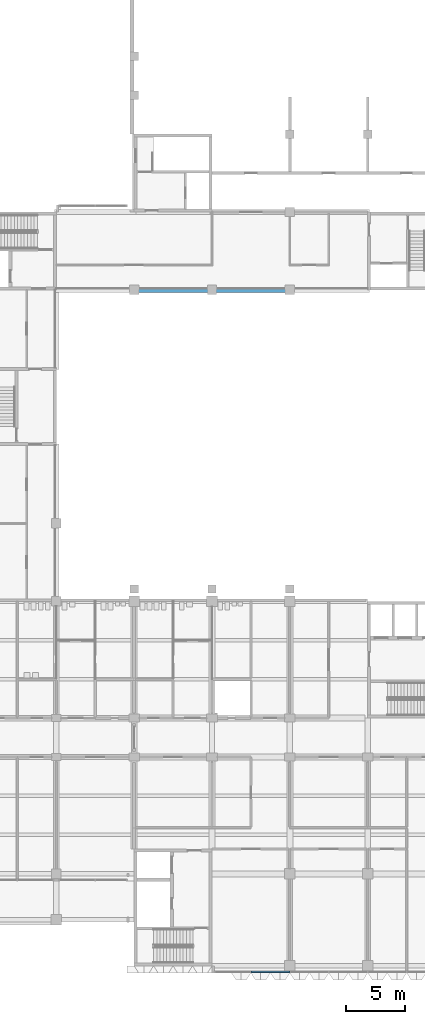
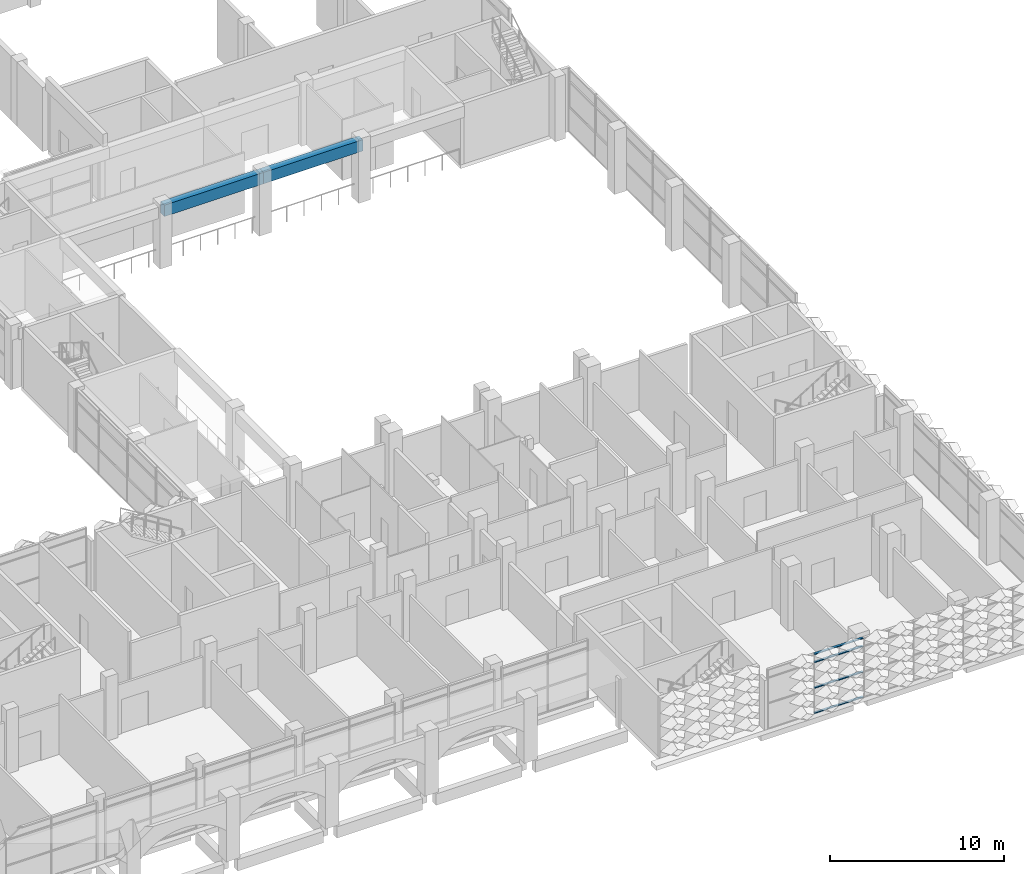
# One storey, part 12 of 87: 4 members, 2 beams, 1 element without a shape of its own.
"""IFC4 building model written with IfcOpenShell, lengths in metres."""

from ifc_helpers import new_model, si_unit, direction, frame, origin, origin_2d, place, context, subcontext, project, spatial, rectangle, extrude, material, material_profile, profile_set, type_object, element, aggregate, save


model = new_model("IFC4")

# Units and contexts
model_context = context("Model", 3, precision=1e-05, world=origin(), true_north=direction((0.0, 1.0)))
body_context = subcontext(model_context, "Body", "Model", "MODEL_VIEW")
ifc_project = project(units=[si_unit("LENGTHUNIT", "METRE"), si_unit("AREAUNIT", "SQUARE_METRE"), si_unit("VOLUMEUNIT", "CUBIC_METRE"), si_unit("PLANEANGLEUNIT", "RADIAN"), si_unit("MASSUNIT", "GRAM", prefix="KILO")], contexts=[model_context])

# Site, building, storey
site_placement = place(None, origin())
site = spatial("IfcSite", under=ifc_project, at=site_placement, CompositionType="ELEMENT")
building_placement = place(site_placement, origin())
building = spatial("IfcBuilding", under=site, at=building_placement, Name="Lantern Court Research Institute", CompositionType="ELEMENT")
storey_placement = place(building_placement, frame((0.0, 0.0, 5.39990234375)))
storey = spatial("IfcBuildingStorey", under=building, at=storey_placement, Name="L01", CompositionType="ELEMENT", Elevation=5.39990234375)

# Beams
ifc_material_1 = material(Name="Concrete C40/50", Category="concrete")
ifc_material_profile_1 = material_profile(ifc_material_1, rectangle(XDim=0.449951171875, YDim=0.800048828125, at=origin_2d()), Name="Hall beam 450 x 800")
ifc_profile_set_1 = profile_set([ifc_material_profile_1], Name="Concrete C40/50")
beam_type = type_object("IfcBeamType", Name="Hall beam 450 x 800", PredefinedType="BEAM", material=ifc_profile_set_1)
beam_1_placement = place(storey_placement, frame((52.800048828125, 49.5, 3.85009765625), z_axis=(1.0, 0.0, 0.0), x_axis=(0.0, 1.0, 0.0)))
element("IfcBeam", 1, at=beam_1_placement, inside=storey, type_object=beam_type, Name="Gallery beam L02", PredefinedType="BEAM", context=body_context, shape_type="SweptSolid", body=[
    extrude(rectangle(XDim=0.449951171875, YDim=0.800048828125, at=origin_2d()), origin(), (0.0, 0.0, 1.0), 6.599853515625),
])
beam_2_placement = place(storey_placement, frame((59.39990234375, 49.5, 3.85009765625), z_axis=(1.0, 0.0, 0.0), x_axis=(0.0, 1.0, 0.0)))
element("IfcBeam", 2, at=beam_2_placement, inside=storey, type_object=beam_type, Name="Gallery beam L02", PredefinedType="BEAM", context=body_context, shape_type="SweptSolid", body=[
    extrude(rectangle(XDim=0.449951171875, YDim=0.800048828125, at=origin_2d()), origin(), (0.0, 0.0, 1.0), 6.60009765625),
])

# Curtain wall, members
ifc_material_2 = material(Name="Aluminium alloy 6063-T6", Category="aluminium")
curtain_wall_type = type_object("IfcCurtainWallType", Name="Curtain wall 20200 x 4200 x 150 aluminium frame", PredefinedType="NOTDEFINED", material=ifc_material_2)
curtain_wall_placement = place(storey_placement, origin())
curtain_wall = element("IfcCurtainWall", 3, at=curtain_wall_placement, inside=storey, type_object=curtain_wall_type, Name="Curtain wall CW033", PredefinedType="NOTDEFINED")
ifc_material_3 = material(Name="Aluminium alloy 6063-T6", Category="aluminium")
ifc_material_profile_2 = material_profile(ifc_material_3, rectangle(XDim=0.14990234375, YDim=0.06005859375, at=origin_2d()), Name="Transom 150 x 60")
ifc_profile_set_2 = profile_set([ifc_material_profile_2], Name="Aluminium alloy 6063-T6")
member_type = type_object("IfcMemberType", Name="Transom 150 x 60 aluminium", PredefinedType="USERDEFINED", material=ifc_profile_set_2)
member_1_placement = place(storey_placement, frame((65.969970703125, -8.324951171875, 0.030029296875), z_axis=(-1.0, 0.0, 0.0), x_axis=(0.0, -1.0, 0.0)))
member_1 = element("IfcMember", 4, at=member_1_placement, type_object=member_type, Name="CW033 transom 2.1", ObjectType="TRANSOM", PredefinedType="USERDEFINED", context=body_context, shape_type="SweptSolid", body=[
    extrude(rectangle(XDim=0.14990234375, YDim=0.06005859375, at=origin_2d()), origin(), (0.0, 0.0, 1.0), 3.239990234375),
])
member_2_placement = place(storey_placement, frame((65.969970703125, -8.324951171875, 1.800048828125), z_axis=(-1.0, 0.0, 0.0), x_axis=(0.0, -1.0, 0.0)))
member_2 = element("IfcMember", 5, at=member_2_placement, type_object=member_type, Name="CW033 transom 2.2", ObjectType="TRANSOM", PredefinedType="USERDEFINED", context=body_context, shape_type="SweptSolid", body=[
    extrude(rectangle(XDim=0.14990234375, YDim=0.06005859375, at=origin_2d()), origin(), (0.0, 0.0, 1.0), 3.239990234375),
])
member_3_placement = place(storey_placement, frame((65.969970703125, -8.324951171875, 3.60009765625), z_axis=(-1.0, 0.0, 0.0), x_axis=(0.0, -1.0, 0.0)))
member_3 = element("IfcMember", 6, at=member_3_placement, type_object=member_type, Name="CW033 transom 2.3", ObjectType="TRANSOM", PredefinedType="USERDEFINED", context=body_context, shape_type="SweptSolid", body=[
    extrude(rectangle(XDim=0.14990234375, YDim=0.06005859375, at=origin_2d()), origin(), (0.0, 0.0, 1.0), 3.239990234375),
])
member_4_placement = place(storey_placement, frame((65.969970703125, -8.324951171875, 4.170166015625), z_axis=(-1.0, 0.0, 0.0), x_axis=(0.0, -1.0, 0.0)))
member_4 = element("IfcMember", 7, at=member_4_placement, type_object=member_type, Name="CW033 transom 2.4", ObjectType="TRANSOM", PredefinedType="USERDEFINED", context=body_context, shape_type="SweptSolid", body=[
    extrude(rectangle(XDim=0.14990234375, YDim=0.06005859375, at=origin_2d()), origin(), (0.0, 0.0, 1.0), 3.239990234375),
])
aggregate(curtain_wall, [member_1, member_2, member_3, member_4])

save(model, "model.ifc")
